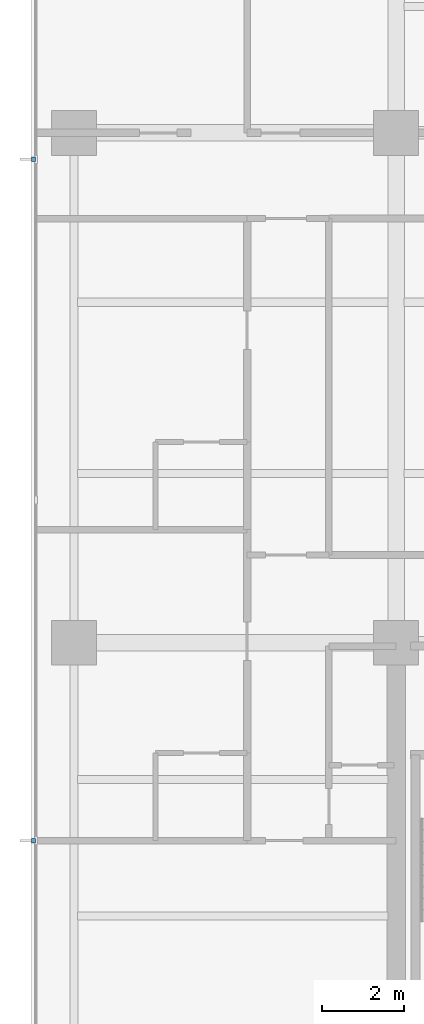
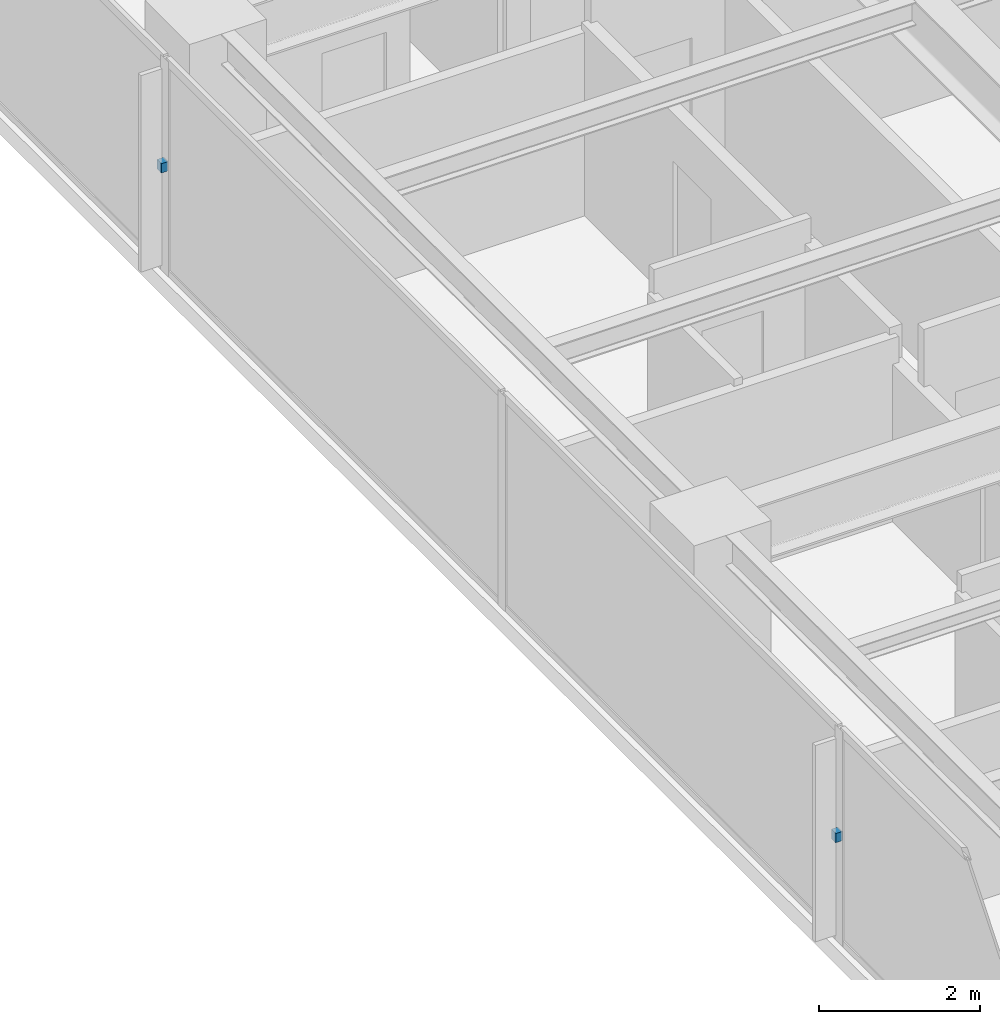
# One storey, part 11 of 15: 2 discrete accessories.
"""IFC4 building model written with IfcOpenShell, lengths in metres."""

from ifc_helpers import new_model, si_unit, direction, frame, origin, place, context, subcontext, project, spatial, polyline, outline, extrude, material, type_object, element, save


model = new_model("IFC4")

# Units and contexts
model_context = context("Model", 3, precision=1e-05, world=origin(), true_north=direction((0.0, 1.0)))
body_context = subcontext(model_context, "Body", "Model", "MODEL_VIEW")
ifc_project = project(units=[si_unit("LENGTHUNIT", "METRE"), si_unit("AREAUNIT", "SQUARE_METRE"), si_unit("VOLUMEUNIT", "CUBIC_METRE"), si_unit("PLANEANGLEUNIT", "RADIAN"), si_unit("MASSUNIT", "GRAM", prefix="KILO")], contexts=[model_context])

# Site, building, storey
site_placement = place(None, origin())
site = spatial("IfcSite", under=ifc_project, at=site_placement, CompositionType="ELEMENT")
building_placement = place(site_placement, origin())
building = spatial("IfcBuilding", under=site, at=building_placement, Name="Qalmaran Belvedere Hotel", CompositionType="ELEMENT")
storey_placement = place(building_placement, frame((0.0, 0.0, 163.10009765625)))
storey = spatial("IfcBuildingStorey", under=building, at=storey_placement, Name="L41", CompositionType="ELEMENT", Elevation=163.10009765625)

# Discrete accessories
ifc_material = material(Name="Stainless Steel 1.4401", Category="steel")
discrete_accessory_type = type_object("IfcDiscreteAccessoryType", Name="BRK-FIN-SS316", PredefinedType="BRACKET", material=ifc_material)
discrete_accessory_1_placement = place(storey_placement, frame((0.0, 0.0, 1.574951171875)))
element("IfcDiscreteAccessory", 1, at=discrete_accessory_1_placement, inside=storey, type_object=discrete_accessory_type, Name="L41 Fin Bracket 1", PredefinedType="BRACKET", context=body_context, shape_type="SweptSolid", body=[
    extrude(outline(polyline([(11.455078125, 32.405029296875), (11.360107421875, 32.405029296875), (11.360107421875, 32.294921875), (11.455078125, 32.294921875), (11.455078125, 32.405029296875)])), origin(), (0.0, 0.0, 1.0), 0.139892578125),
])
discrete_accessory_2_placement = place(storey_placement, frame((0.0, 0.0, 1.574951171875)))
element("IfcDiscreteAccessory", 2, at=discrete_accessory_2_placement, inside=storey, type_object=discrete_accessory_type, Name="L41 Fin Bracket 3", PredefinedType="BRACKET", context=body_context, shape_type="SweptSolid", body=[
    extrude(outline(polyline([(11.455078125, 15.705078125), (11.360107421875, 15.705078125), (11.360107421875, 15.594970703125), (11.455078125, 15.594970703125), (11.455078125, 15.705078125)])), origin(), (0.0, 0.0, 1.0), 0.139892578125),
])

save(model, "model.ifc")
